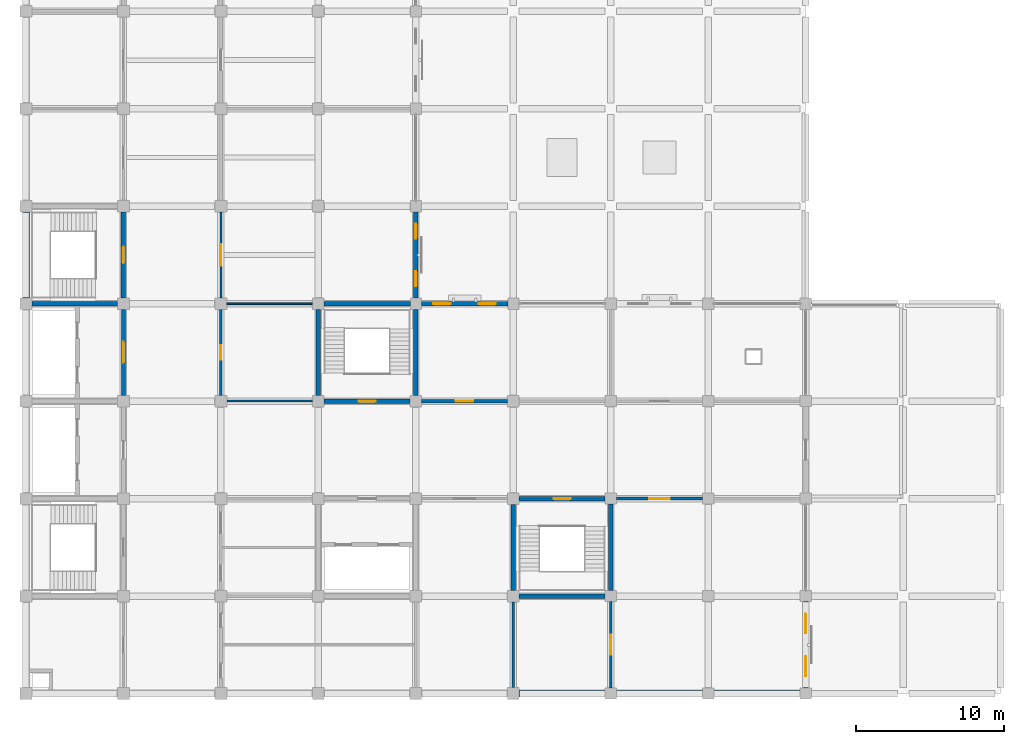
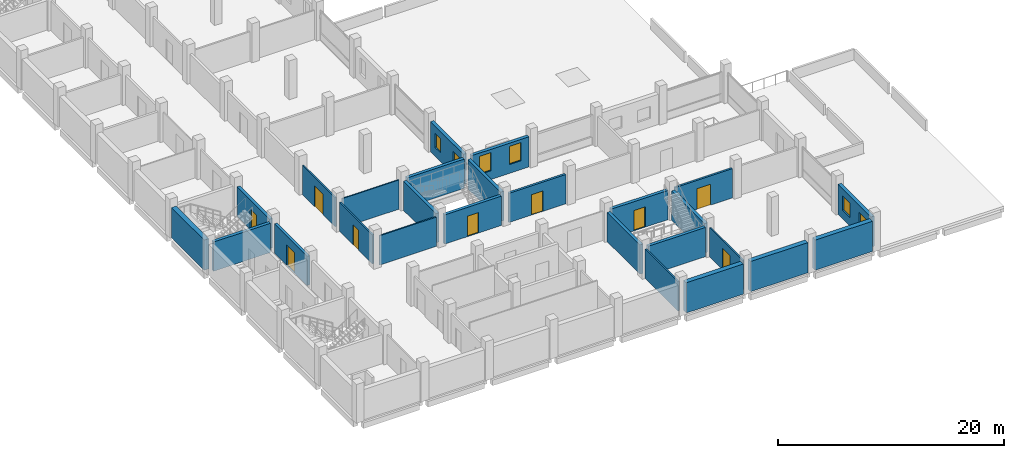
# One storey, part 15 of 23: 26 walls, 9 doors, 6 windows, 15 openings.
"""IFC4 building model written with IfcOpenShell, lengths in metres."""

from ifc_helpers import new_model, si_unit, direction, frame, frame_2d, origin, place, context, subcontext, project, spatial, rectangle, extrude, material, layer, layer_set, type_object, element, fill, save


model = new_model("IFC4")

# Units and contexts
model_context = context("Model", 3, precision=1e-05, world=origin(), true_north=direction((0.0, 1.0)))
body_context = subcontext(model_context, "Body", "Model", "MODEL_VIEW")
ifc_project = project(units=[si_unit("LENGTHUNIT", "METRE"), si_unit("AREAUNIT", "SQUARE_METRE"), si_unit("VOLUMEUNIT", "CUBIC_METRE"), si_unit("PLANEANGLEUNIT", "RADIAN"), si_unit("MASSUNIT", "GRAM", prefix="KILO")], contexts=[model_context])

# Site, building, storey
site_placement = place(None, origin())
site = spatial("IfcSite", under=ifc_project, at=site_placement, CompositionType="ELEMENT")
building_placement = place(site_placement, origin())
building = spatial("IfcBuilding", under=site, at=building_placement, Name="Rusizi Kubbe Research Institute", CompositionType="ELEMENT")
storey_placement = place(building_placement, frame((0.0, 0.0, 18.60009765625)))
storey = spatial("IfcBuildingStorey", under=building, at=storey_placement, Name="L04", CompositionType="ELEMENT", Elevation=18.60009765625)

# Wall
ifc_material_1 = material(Name="Concrete C45/55", Category="concrete")
ifc_layer_1 = layer(ifc_material_1, 0.31494140625)
ifc_layer_set_1 = layer_set([ifc_layer_1], Name="Concrete C45/55")
wall_type_1 = type_object("IfcWallType", Name="CRW-02", PredefinedType="SHEAR", material=ifc_layer_set_1)
wall_1_placement = place(storey_placement, frame((0.39990234375, 26.39990234375, 0.0), z_axis=(0.0, 0.0, 1.0), x_axis=(1.0, 0.0, 0.0)))
element("IfcWall", 1, at=wall_1_placement, inside=storey, type_object=wall_type_1, Name="Stair Core Shear Wall ST2 L04 S", PredefinedType="SHEAR", context=body_context, shape_type="SweptSolid", body=[
    extrude(rectangle(XDim=5.800048828125, YDim=0.31494140625, at=frame_2d((2.89990234375, 0.0))), origin(), (0.0, 0.0, 1.0), 3.159912109375),
])

# Wall, opening, door
wall_2_placement = place(storey_placement, frame((6.60009765625, 26.800048828125, 0.0), z_axis=(0.0, 0.0, 1.0), x_axis=(0.0, 1.0, 0.0)))
wall_2 = element("IfcWall", 2, at=wall_2_placement, inside=storey, type_object=wall_type_1, Name="Stair Core Shear Wall ST2 L04 E", PredefinedType="SHEAR", context=body_context, shape_type="SweptSolid", body=[
    extrude(rectangle(XDim=5.800048828125, YDim=0.31494140625, at=frame_2d((2.89990234375, 0.0))), origin(), (0.0, 0.0, 1.0), 3.159912109375),
])
opening_1_placement = place(wall_2_placement, frame((2.324951171875, 0.0, 0.0)))
opening_1 = element("IfcOpeningElement", 3, at=opening_1_placement, cuts=wall_2, Name="Opening D-02", PredefinedType="OPENING", context=body_context, shape_type="SweptSolid", body=[
    extrude(rectangle(XDim=1.14990234375, YDim=2.199951171875, at=frame_2d((0.574951171875, 1.10009765625))), frame((0.0, 0.16748046875, 0.0), z_axis=(0.0, -1.0, 0.0), x_axis=(1.0, 0.0, 0.0)), (0.0, 0.0, 1.0), 0.3349609375),
])
ifc_material_2 = material(Name="Fire-Rated Steel Frame and Acoustic Timber Leaf", Category="wood")
door_type_1 = type_object("IfcDoorType", Name="ID-STAIR-115", OperationType="NOTDEFINED", PredefinedType="DOOR", material=ifc_material_2)
door_1_placement = place(opening_1_placement, origin())
door_1 = element("IfcDoor", 4, at=door_1_placement, inside=storey, type_object=door_type_1, Name="Exit Stair Door ST2 L04", OperationType="SINGLE_SWING_RIGHT", OverallHeight=2.199951171875, OverallWidth=1.14990234375, PredefinedType="DOOR", context=body_context, shape_type="SweptSolid", body=[
    extrude(rectangle(XDim=1.14990234375, YDim=2.199951171875, at=frame_2d((0.574951171875, 1.10009765625))), frame((0.0, 0.02490234375, 0.0), z_axis=(0.0, -1.0, 0.0), x_axis=(1.0, 0.0, 0.0)), (0.0, 0.0, 1.0), 0.050048828125),
])
fill(opening_1, door_1)

wall_3_placement = place(storey_placement, frame((20.199951171875, 19.800048828125, 0.0), z_axis=(0.0, 0.0, 1.0), x_axis=(1.0, 0.0, 0.0)))
wall_3 = element("IfcWall", 5, at=wall_3_placement, inside=storey, type_object=wall_type_1, Name="Stair Core Shear Wall ST3 L04 S", PredefinedType="SHEAR", context=body_context, shape_type="SweptSolid", body=[
    extrude(rectangle(XDim=5.800048828125, YDim=0.31494140625, at=frame_2d((2.89990234375, 0.0))), origin(), (0.0, 0.0, 1.0), 3.159912109375),
])
opening_2_placement = place(wall_3_placement, frame((2.324951171875, 0.0, 0.0)))
opening_2 = element("IfcOpeningElement", 6, at=opening_2_placement, cuts=wall_3, Name="Opening D-02", PredefinedType="OPENING", context=body_context, shape_type="SweptSolid", body=[
    extrude(rectangle(XDim=1.14990234375, YDim=2.199951171875, at=frame_2d((0.574951171875, 1.10009765625))), frame((0.0, 0.16748046875, 0.0), z_axis=(0.0, -1.0, 0.0), x_axis=(1.0, 0.0, 0.0)), (0.0, 0.0, 1.0), 0.3349609375),
])
door_2_placement = place(opening_2_placement, origin())
door_2 = element("IfcDoor", 7, at=door_2_placement, inside=storey, type_object=door_type_1, Name="Exit Stair Door ST3 L04", OperationType="SINGLE_SWING_RIGHT", OverallHeight=2.199951171875, OverallWidth=1.14990234375, PredefinedType="DOOR", context=body_context, shape_type="SweptSolid", body=[
    extrude(rectangle(XDim=1.14990234375, YDim=2.199951171875, at=frame_2d((0.574951171875, 1.10009765625))), frame((0.0, 0.02490234375, 0.0), z_axis=(0.0, -1.0, 0.0), x_axis=(1.0, 0.0, 0.0)), (0.0, 0.0, 1.0), 0.050048828125),
])
fill(opening_2, door_2)

# Walls
wall_4_placement = place(storey_placement, frame((20.199951171875, 26.39990234375, 0.0), z_axis=(0.0, 0.0, 1.0), x_axis=(1.0, 0.0, 0.0)))
element("IfcWall", 8, at=wall_4_placement, inside=storey, type_object=wall_type_1, Name="Stair Core Shear Wall ST3 L04 N", PredefinedType="SHEAR", context=body_context, shape_type="SweptSolid", body=[
    extrude(rectangle(XDim=5.824951171875, YDim=0.31494140625, at=frame_2d((2.91259765625, 0.0))), origin(), (0.0, 0.0, 1.0), 3.159912109375),
])
wall_5_placement = place(storey_placement, frame((19.800048828125, 20.199951171875, 0.0), z_axis=(0.0, 0.0, 1.0), x_axis=(0.0, 1.0, 0.0)))
element("IfcWall", 9, at=wall_5_placement, inside=storey, type_object=wall_type_1, Name="Stair Core Shear Wall ST3 L04 W", PredefinedType="SHEAR", context=body_context, shape_type="SweptSolid", body=[
    extrude(rectangle(XDim=5.800048828125, YDim=0.31494140625, at=frame_2d((2.89990234375, 0.0))), origin(), (0.0, 0.0, 1.0), 3.159912109375),
])
wall_6_placement = place(storey_placement, frame((26.39990234375, 20.199951171875, 0.0), z_axis=(0.0, 0.0, 1.0), x_axis=(0.0, 1.0, 0.0)))
element("IfcWall", 10, at=wall_6_placement, inside=storey, type_object=wall_type_1, Name="Stair Core Shear Wall ST3 L04 E", PredefinedType="SHEAR", context=body_context, shape_type="SweptSolid", body=[
    extrude(rectangle(XDim=5.824951171875, YDim=0.31494140625, at=frame_2d((2.91259765625, 0.0))), origin(), (0.0, 0.0, 1.0), 3.159912109375),
])
wall_7_placement = place(storey_placement, frame((33.39990234375, 6.60009765625, 0.0), z_axis=(0.0, 0.0, 1.0), x_axis=(1.0, 0.0, 0.0)))
element("IfcWall", 11, at=wall_7_placement, inside=storey, type_object=wall_type_1, Name="Stair Core Shear Wall ST4 L04 S", PredefinedType="SHEAR", context=body_context, shape_type="SweptSolid", body=[
    extrude(rectangle(XDim=5.8251953125, YDim=0.31494140625, at=frame_2d((2.91259765625, 0.0))), origin(), (0.0, 0.0, 1.0), 3.159912109375),
])

# Wall, opening, door
wall_8_placement = place(storey_placement, frame((33.39990234375, 13.199951171875, 0.0), z_axis=(0.0, 0.0, 1.0), x_axis=(1.0, 0.0, 0.0)))
wall_8 = element("IfcWall", 12, at=wall_8_placement, inside=storey, type_object=wall_type_1, Name="Stair Core Shear Wall ST4 L04 N", PredefinedType="SHEAR", context=body_context, shape_type="SweptSolid", body=[
    extrude(rectangle(XDim=5.8251953125, YDim=0.31494140625, at=frame_2d((2.91259765625, 0.0))), origin(), (0.0, 0.0, 1.0), 3.159912109375),
])
opening_3_placement = place(wall_8_placement, frame((2.33740234375, 0.0, 0.0)))
opening_3 = element("IfcOpeningElement", 13, at=opening_3_placement, cuts=wall_8, Name="Opening D-02", PredefinedType="OPENING", context=body_context, shape_type="SweptSolid", body=[
    extrude(rectangle(XDim=1.14990234375, YDim=2.199951171875, at=frame_2d((0.574951171875, 1.10009765625))), frame((0.0, 0.16748046875, 0.0), z_axis=(0.0, -1.0, 0.0), x_axis=(1.0, 0.0, 0.0)), (0.0, 0.0, 1.0), 0.3349609375),
])
door_3_placement = place(opening_3_placement, origin())
door_3 = element("IfcDoor", 14, at=door_3_placement, inside=storey, type_object=door_type_1, Name="Exit Stair Door ST4 L04", OperationType="SINGLE_SWING_RIGHT", OverallHeight=2.199951171875, OverallWidth=1.14990234375, PredefinedType="DOOR", context=body_context, shape_type="SweptSolid", body=[
    extrude(rectangle(XDim=1.14990234375, YDim=2.199951171875, at=frame_2d((0.574951171875, 1.10009765625))), frame((0.0, 0.02490234375, 0.0), z_axis=(0.0, -1.0, 0.0), x_axis=(1.0, 0.0, 0.0)), (0.0, 0.0, 1.0), 0.050048828125),
])
fill(opening_3, door_3)

# Walls
wall_9_placement = place(storey_placement, frame((33.0, 7.0, 0.0), z_axis=(0.0, 0.0, 1.0), x_axis=(0.0, 1.0, 0.0)))
element("IfcWall", 15, at=wall_9_placement, inside=storey, type_object=wall_type_1, Name="Stair Core Shear Wall ST4 L04 W", PredefinedType="SHEAR", context=body_context, shape_type="SweptSolid", body=[
    extrude(rectangle(XDim=5.800048828125, YDim=0.31494140625, at=frame_2d((2.89990234375, 0.0))), origin(), (0.0, 0.0, 1.0), 3.159912109375),
])
wall_10_placement = place(storey_placement, frame((39.60009765625, 6.97509765625, 0.0), z_axis=(0.0, 0.0, 1.0), x_axis=(0.0, 1.0, 0.0)))
element("IfcWall", 16, at=wall_10_placement, inside=storey, type_object=wall_type_1, Name="Stair Core Shear Wall ST4 L04 E", PredefinedType="SHEAR", context=body_context, shape_type="SweptSolid", body=[
    extrude(rectangle(XDim=5.849853515625, YDim=0.31494140625, at=frame_2d((2.9248046875, 0.0))), origin(), (0.0, 0.0, 1.0), 3.159912109375),
])

# Wall, openings, windows
ifc_material_3 = material(Name="Volcanic Basalt Ashlar Masonry", Category="masonry")
ifc_layer_2 = layer(ifc_material_3, 0.324951171875)
ifc_layer_set_2 = layer_set([ifc_layer_2], Name="Volcanic Basalt Ashlar Masonry")
wall_type_2 = type_object("IfcWallType", Name="EW-08", PredefinedType="SOLIDWALL", material=ifc_layer_set_2)
wall_11_placement = place(storey_placement, frame((26.39990234375, 26.77490234375, 0.0), z_axis=(0.0, 0.0, 1.0), x_axis=(0.0, 1.0, 0.0)))
wall_11 = element("IfcWall", 17, at=wall_11_placement, inside=storey, type_object=wall_type_2, Name="Ablaq Stone Exterior Wall L04 V4-4", PredefinedType="SOLIDWALL", context=body_context, shape_type="SweptSolid", body=[
    extrude(rectangle(XDim=5.85009765625, YDim=0.324951171875, at=frame_2d((2.925048828125, 0.0))), origin(), (0.0, 0.0, 1.0), 3.260009765625),
])
opening_4_placement = place(wall_11_placement, frame((0.800048828125, 0.0, 0.949951171875)))
opening_4 = element("IfcOpeningElement", 18, at=opening_4_placement, cuts=wall_11, Name="Opening WN-06", PredefinedType="OPENING", context=body_context, shape_type="SweptSolid", body=[
    extrude(rectangle(XDim=1.02001953125, YDim=1.52001953125, at=frame_2d((0.510009765625, 0.760009765625))), frame((0.0, 0.17236328125, 0.0), z_axis=(0.0, -1.0, 0.0), x_axis=(1.0, 0.0, 0.0)), (0.0, 0.0, 1.0), 0.344970703125),
])
opening_5_placement = place(wall_11_placement, frame((4.030029296875, 0.0, 0.949951171875)))
opening_5 = element("IfcOpeningElement", 19, at=opening_5_placement, cuts=wall_11, Name="Opening WN-06", PredefinedType="OPENING", context=body_context, shape_type="SweptSolid", body=[
    extrude(rectangle(XDim=1.02001953125, YDim=1.52001953125, at=frame_2d((0.510009765625, 0.760009765625))), frame((0.0, 0.17236328125, 0.0), z_axis=(0.0, -1.0, 0.0), x_axis=(1.0, 0.0, 0.0)), (0.0, 0.0, 1.0), 0.344970703125),
])
ifc_material_4 = material(Name="Aluminium Frame and Solar-Control Double Glazing", Category="glass")
window_type_1 = type_object("IfcWindowType", Name="WN-06", PartitioningType="SINGLE_PANEL", PredefinedType="WINDOW", material=ifc_material_4)
window_1_placement = place(opening_4_placement, origin())
window_1 = element("IfcWindow", 20, at=window_1_placement, inside=storey, type_object=window_type_1, Name="Casement Window WN-06 L04", OverallHeight=1.52001953125, OverallWidth=1.02001953125, PartitioningType="SINGLE_PANEL", PredefinedType="WINDOW", context=body_context, shape_type="SweptSolid", body=[
    extrude(rectangle(XDim=1.02001953125, YDim=1.52001953125, at=frame_2d((0.510009765625, 0.760009765625))), frame((0.0, 0.030029296875, 0.0), z_axis=(0.0, -1.0, 0.0), x_axis=(1.0, 0.0, 0.0)), (0.0, 0.0, 1.0), 0.06005859375),
])
fill(opening_4, window_1)
window_2_placement = place(opening_5_placement, origin())
window_2 = element("IfcWindow", 21, at=window_2_placement, inside=storey, type_object=window_type_1, Name="Casement Window WN-06 L04", OverallHeight=1.52001953125, OverallWidth=1.02001953125, PartitioningType="SINGLE_PANEL", PredefinedType="WINDOW", context=body_context, shape_type="SweptSolid", body=[
    extrude(rectangle(XDim=1.02001953125, YDim=1.52001953125, at=frame_2d((0.510009765625, 0.760009765625))), frame((0.0, 0.030029296875, 0.0), z_axis=(0.0, -1.0, 0.0), x_axis=(1.0, 0.0, 0.0)), (0.0, 0.0, 1.0), 0.06005859375),
])
fill(opening_5, window_2)

wall_12_placement = place(storey_placement, frame((26.77490234375, 26.39990234375, 0.0), z_axis=(0.0, 0.0, 1.0), x_axis=(1.0, 0.0, 0.0)))
wall_12 = element("IfcWall", 22, at=wall_12_placement, inside=storey, type_object=wall_type_2, Name="Ablaq Stone Exterior Wall L04 H4-4", PredefinedType="SOLIDWALL", context=body_context, shape_type="SweptSolid", body=[
    extrude(rectangle(XDim=5.85009765625, YDim=0.324951171875, at=frame_2d((2.925048828125, 0.0))), origin(), (0.0, 0.0, 1.0), 3.260009765625),
])
opening_6_placement = place(wall_12_placement, frame((0.800048828125, 0.0, 0.949951171875)))
opening_6 = element("IfcOpeningElement", 23, at=opening_6_placement, cuts=wall_12, Name="Opening WN-12", PredefinedType="OPENING", context=body_context, shape_type="SweptSolid", body=[
    extrude(rectangle(XDim=1.179931640625, YDim=1.9599609375, at=frame_2d((0.58984375, 0.97998046875))), frame((0.0, 0.17236328125, 0.0), z_axis=(0.0, -1.0, 0.0), x_axis=(1.0, 0.0, 0.0)), (0.0, 0.0, 1.0), 0.344970703125),
])
opening_7_placement = place(wall_12_placement, frame((3.8701171875, 0.0, 0.949951171875)))
opening_7 = element("IfcOpeningElement", 24, at=opening_7_placement, cuts=wall_12, Name="Opening WN-12", PredefinedType="OPENING", context=body_context, shape_type="SweptSolid", body=[
    extrude(rectangle(XDim=1.179931640625, YDim=1.9599609375, at=frame_2d((0.58984375, 0.97998046875))), frame((0.0, 0.17236328125, 0.0), z_axis=(0.0, -1.0, 0.0), x_axis=(1.0, 0.0, 0.0)), (0.0, 0.0, 1.0), 0.344970703125),
])
ifc_material_5 = material(Name="Aluminium Frame and Solar-Control Double Glazing", Category="glass")
window_type_2 = type_object("IfcWindowType", Name="WN-12", PartitioningType="SINGLE_PANEL", PredefinedType="WINDOW", material=ifc_material_5)
window_3_placement = place(opening_6_placement, origin())
window_3 = element("IfcWindow", 25, at=window_3_placement, inside=storey, type_object=window_type_2, Name="Casement Window WN-12 L04", OverallHeight=1.9599609375, OverallWidth=1.179931640625, PartitioningType="SINGLE_PANEL", PredefinedType="WINDOW", context=body_context, shape_type="SweptSolid", body=[
    extrude(rectangle(XDim=1.179931640625, YDim=1.9599609375, at=frame_2d((0.58984375, 0.97998046875))), frame((0.0, 0.030029296875, 0.0), z_axis=(0.0, -1.0, 0.0), x_axis=(1.0, 0.0, 0.0)), (0.0, 0.0, 1.0), 0.06005859375),
])
fill(opening_6, window_3)
window_4_placement = place(opening_7_placement, origin())
window_4 = element("IfcWindow", 26, at=window_4_placement, inside=storey, type_object=window_type_2, Name="Casement Window WN-12 L04", OverallHeight=1.9599609375, OverallWidth=1.179931640625, PartitioningType="SINGLE_PANEL", PredefinedType="WINDOW", context=body_context, shape_type="SweptSolid", body=[
    extrude(rectangle(XDim=1.179931640625, YDim=1.9599609375, at=frame_2d((0.58984375, 0.97998046875))), frame((0.0, 0.030029296875, 0.0), z_axis=(0.0, -1.0, 0.0), x_axis=(1.0, 0.0, 0.0)), (0.0, 0.0, 1.0), 0.06005859375),
])
fill(opening_7, window_4)

wall_13_placement = place(storey_placement, frame((52.800048828125, 0.375, 0.0), z_axis=(0.0, 0.0, 1.0), x_axis=(0.0, 1.0, 0.0)))
wall_13 = element("IfcWall", 27, at=wall_13_placement, inside=storey, type_object=wall_type_2, Name="Ablaq Stone Exterior Wall L04 V8-0", PredefinedType="SOLIDWALL", context=body_context, shape_type="SweptSolid", body=[
    extrude(rectangle(XDim=5.85009765625, YDim=0.324951171875, at=frame_2d((2.925048828125, 0.0))), origin(), (0.0, 0.0, 1.0), 3.260009765625),
])
opening_8_placement = place(wall_13_placement, frame((0.800048828125, 0.0, 0.949951171875)))
opening_8 = element("IfcOpeningElement", 28, at=opening_8_placement, cuts=wall_13, Name="Opening WN-14", PredefinedType="OPENING", context=body_context, shape_type="SweptSolid", body=[
    extrude(rectangle(XDim=1.340087890625, YDim=1.52001953125, at=frame_2d((0.669921875, 0.760009765625))), frame((0.0, 0.17236328125, 0.0), z_axis=(0.0, -1.0, 0.0), x_axis=(1.0, 0.0, 0.0)), (0.0, 0.0, 1.0), 0.344970703125),
])
opening_9_placement = place(wall_13_placement, frame((3.7099609375, 0.0, 0.949951171875)))
opening_9 = element("IfcOpeningElement", 29, at=opening_9_placement, cuts=wall_13, Name="Opening WN-14", PredefinedType="OPENING", context=body_context, shape_type="SweptSolid", body=[
    extrude(rectangle(XDim=1.340087890625, YDim=1.52001953125, at=frame_2d((0.669921875, 0.760009765625))), frame((0.0, 0.17236328125, 0.0), z_axis=(0.0, -1.0, 0.0), x_axis=(1.0, 0.0, 0.0)), (0.0, 0.0, 1.0), 0.344970703125),
])
ifc_material_6 = material(Name="Aluminium Frame and Solar-Control Double Glazing", Category="glass")
window_type_3 = type_object("IfcWindowType", Name="WN-14", PartitioningType="SINGLE_PANEL", PredefinedType="WINDOW", material=ifc_material_6)
window_5_placement = place(opening_8_placement, origin())
window_5 = element("IfcWindow", 30, at=window_5_placement, inside=storey, type_object=window_type_3, Name="Casement Window WN-14 L04", OverallHeight=1.52001953125, OverallWidth=1.340087890625, PartitioningType="SINGLE_PANEL", PredefinedType="WINDOW", context=body_context, shape_type="SweptSolid", body=[
    extrude(rectangle(XDim=1.340087890625, YDim=1.52001953125, at=frame_2d((0.669921875, 0.760009765625))), frame((0.0, 0.030029296875, 0.0), z_axis=(0.0, -1.0, 0.0), x_axis=(1.0, 0.0, 0.0)), (0.0, 0.0, 1.0), 0.06005859375),
])
fill(opening_8, window_5)
window_6_placement = place(opening_9_placement, origin())
window_6 = element("IfcWindow", 31, at=window_6_placement, inside=storey, type_object=window_type_3, Name="Casement Window WN-14 L04", OverallHeight=1.52001953125, OverallWidth=1.340087890625, PartitioningType="SINGLE_PANEL", PredefinedType="WINDOW", context=body_context, shape_type="SweptSolid", body=[
    extrude(rectangle(XDim=1.340087890625, YDim=1.52001953125, at=frame_2d((0.669921875, 0.760009765625))), frame((0.0, 0.030029296875, 0.0), z_axis=(0.0, -1.0, 0.0), x_axis=(1.0, 0.0, 0.0)), (0.0, 0.0, 1.0), 0.06005859375),
])
fill(opening_9, window_6)

# Wall, opening, door
ifc_material_7 = material(Name="Concrete Blockwork Fire Partition", Category="masonry")
ifc_layer_3 = layer(ifc_material_7, 0.22509765625)
ifc_layer_set_3 = layer_set([ifc_layer_3], Name="Concrete Blockwork Fire Partition")
wall_type_3 = type_object("IfcWallType", Name="IW-01", PredefinedType="PARTITIONING", material=ifc_layer_set_3)
wall_14_placement = place(storey_placement, frame((26.800048828125, 19.800048828125, 0.0), z_axis=(0.0, 0.0, 1.0), x_axis=(1.0, 0.0, 0.0)))
wall_14 = element("IfcWall", 32, at=wall_14_placement, inside=storey, type_object=wall_type_3, Name="Interior Partition Wall L04 H4-3", PredefinedType="PARTITIONING", context=body_context, shape_type="SweptSolid", body=[
    extrude(rectangle(XDim=5.800048828125, YDim=0.22509765625, at=frame_2d((2.89990234375, 0.0))), origin(), (0.0, 0.0, 1.0), 3.159912109375),
])
opening_10_placement = place(wall_14_placement, frame((2.31005859375, 0.0, 0.0)))
opening_10 = element("IfcOpeningElement", 33, at=opening_10_placement, cuts=wall_14, Name="Opening D-19", PredefinedType="OPENING", context=body_context, shape_type="SweptSolid", body=[
    extrude(rectangle(XDim=1.179931640625, YDim=2.199951171875, at=frame_2d((0.58984375, 1.10009765625))), frame((0.0, 0.12255859375, 0.0), z_axis=(0.0, -1.0, 0.0), x_axis=(1.0, 0.0, 0.0)), (0.0, 0.0, 1.0), 0.2451171875),
])
ifc_material_8 = material(Name="Fire-Rated Steel Frame and Acoustic Timber Leaf", Category="wood")
door_type_2 = type_object("IfcDoorType", Name="ID-OFF-118", OperationType="NOTDEFINED", PredefinedType="DOOR", material=ifc_material_8)
door_4_placement = place(opening_10_placement, origin())
door_4 = element("IfcDoor", 34, at=door_4_placement, inside=storey, type_object=door_type_2, Name="Door to Write-up Office (L04-EWN-01)", OperationType="SINGLE_SWING_RIGHT", OverallHeight=2.199951171875, OverallWidth=1.179931640625, PredefinedType="DOOR", context=body_context, shape_type="SweptSolid", body=[
    extrude(rectangle(XDim=1.179931640625, YDim=2.199951171875, at=frame_2d((0.58984375, 1.10009765625))), frame((0.0, 0.02490234375, 0.0), z_axis=(0.0, -1.0, 0.0), x_axis=(1.0, 0.0, 0.0)), (0.0, 0.0, 1.0), 0.050048828125),
])
fill(opening_10, door_4)

ifc_material_9 = material(Name="Insulated Cleanroom Partition", Category="masonry")
ifc_layer_4 = layer(ifc_material_9, 0.195068359375)
ifc_layer_set_4 = layer_set([ifc_layer_4], Name="Insulated Cleanroom Partition")
wall_type_4 = type_object("IfcWallType", Name="IW-02", PredefinedType="PARTITIONING", material=ifc_layer_set_4)
wall_15_placement = place(storey_placement, frame((39.97509765625, 13.199951171875, 0.0), z_axis=(0.0, 0.0, 1.0), x_axis=(1.0, 0.0, 0.0)))
wall_15 = element("IfcWall", 35, at=wall_15_placement, inside=storey, type_object=wall_type_4, Name="Interior Partition Wall L04 H6-2", PredefinedType="PARTITIONING", context=body_context, shape_type="SweptSolid", body=[
    extrude(rectangle(XDim=5.849853515625, YDim=0.195068359375, at=frame_2d((2.9248046875, 0.0))), origin(), (0.0, 0.0, 1.0), 3.159912109375),
])
opening_11_placement = place(wall_15_placement, frame((2.22509765625, 0.0, 0.0)))
opening_11 = element("IfcOpeningElement", 36, at=opening_11_placement, cuts=wall_15, Name="Opening D-12", PredefinedType="OPENING", context=body_context, shape_type="SweptSolid", body=[
    extrude(rectangle(XDim=1.39990234375, YDim=2.25, at=frame_2d((0.699951171875, 1.125))), frame((0.0, 0.107421875, 0.0), z_axis=(0.0, -1.0, 0.0), x_axis=(1.0, 0.0, 0.0)), (0.0, 0.0, 1.0), 0.215087890625),
])
ifc_material_10 = material(Name="Fire-Rated Steel Frame and Acoustic Timber Leaf", Category="wood")
door_type_3 = type_object("IfcDoorType", Name="ID-LAB-140", OperationType="NOTDEFINED", PredefinedType="DOOR", material=ifc_material_10)
door_5_placement = place(opening_11_placement, origin())
door_5 = element("IfcDoor", 37, at=door_5_placement, inside=storey, type_object=door_type_3, Name="Door to Clean Room Process Suite (L04-EWS-02)", OperationType="SINGLE_SWING_RIGHT", OverallHeight=2.25, OverallWidth=1.39990234375, PredefinedType="DOOR", context=body_context, shape_type="SweptSolid", body=[
    extrude(rectangle(XDim=1.39990234375, YDim=2.25, at=frame_2d((0.699951171875, 1.125))), frame((0.0, 0.02490234375, 0.0), z_axis=(0.0, -1.0, 0.0), x_axis=(1.0, 0.0, 0.0)), (0.0, 0.0, 1.0), 0.050048828125),
])
fill(opening_11, door_5)

ifc_material_11 = material(Name="Fire-Rated Corridor Partition", Category="masonry")
ifc_layer_5 = layer(ifc_material_11, 0.155029296875)
ifc_layer_set_5 = layer_set([ifc_layer_5], Name="Fire-Rated Corridor Partition")
wall_type_5 = type_object("IfcWallType", Name="IW-04", PredefinedType="PARTITIONING", material=ifc_layer_set_5)
wall_16_placement = place(storey_placement, frame((13.199951171875, 20.199951171875, 0.0), z_axis=(0.0, 0.0, 1.0), x_axis=(0.0, 1.0, 0.0)))
wall_16 = element("IfcWall", 38, at=wall_16_placement, inside=storey, type_object=wall_type_5, Name="Interior Partition Wall L04 V2-3", PredefinedType="PARTITIONING", context=body_context, shape_type="SweptSolid", body=[
    extrude(rectangle(XDim=5.800048828125, YDim=0.155029296875, at=frame_2d((2.89990234375, 0.0))), origin(), (0.0, 0.0, 1.0), 3.159912109375),
])
opening_12_placement = place(wall_16_placement, frame((2.409912109375, 0.0, 0.0)))
opening_12 = element("IfcOpeningElement", 39, at=opening_12_placement, cuts=wall_16, Name="Opening D-20", PredefinedType="OPENING", context=body_context, shape_type="SweptSolid", body=[
    extrude(rectangle(XDim=0.97998046875, YDim=2.14990234375, at=frame_2d((0.489990234375, 1.074951171875))), frame((0.0, 0.08740234375, 0.0), z_axis=(0.0, -1.0, 0.0), x_axis=(1.0, 0.0, 0.0)), (0.0, 0.0, 1.0), 0.175048828125),
])
ifc_material_12 = material(Name="Fire-Rated Steel Frame and Acoustic Timber Leaf", Category="wood")
door_type_4 = type_object("IfcDoorType", Name="ID-OFF-980", OperationType="NOTDEFINED", PredefinedType="DOOR", material=ifc_material_12)
door_6_placement = place(opening_12_placement, origin())
door_6 = element("IfcDoor", 40, at=door_6_placement, inside=storey, type_object=door_type_4, Name="Door to Write-up Office (L04-NW-01)", OperationType="SINGLE_SWING_LEFT", OverallHeight=2.14990234375, OverallWidth=0.97998046875, PredefinedType="DOOR", context=body_context, shape_type="SweptSolid", body=[
    extrude(rectangle(XDim=0.97998046875, YDim=2.14990234375, at=frame_2d((0.489990234375, 1.074951171875))), frame((0.0, 0.02490234375, 0.0), z_axis=(0.0, -1.0, 0.0), x_axis=(1.0, 0.0, 0.0)), (0.0, 0.0, 1.0), 0.050048828125),
])
fill(opening_12, door_6)

# Wall
wall_17_placement = place(storey_placement, frame((33.0, 0.39990234375, 0.0), z_axis=(0.0, 0.0, 1.0), x_axis=(0.0, 1.0, 0.0)))
element("IfcWall", 41, at=wall_17_placement, inside=storey, type_object=wall_type_5, Name="Interior Partition Wall L04 V5-0", PredefinedType="PARTITIONING", context=body_context, shape_type="SweptSolid", body=[
    extrude(rectangle(XDim=5.800048828125, YDim=0.155029296875, at=frame_2d((2.89990234375, 0.0))), origin(), (0.0, 0.0, 1.0), 3.159912109375),
])

# Wall, opening, door
ifc_material_13 = material(Name="Write-up Glazed Acoustic Partition", Category="masonry")
ifc_layer_6 = layer(ifc_material_13, 0.139892578125)
ifc_layer_set_6 = layer_set([ifc_layer_6], Name="Write-up Glazed Acoustic Partition")
wall_type_6 = type_object("IfcWallType", Name="IW-05", PredefinedType="PARTITIONING", material=ifc_layer_set_6)
wall_18_placement = place(storey_placement, frame((13.199951171875, 26.800048828125, 0.0), z_axis=(0.0, 0.0, 1.0), x_axis=(0.0, 1.0, 0.0)))
wall_18 = element("IfcWall", 42, at=wall_18_placement, inside=storey, type_object=wall_type_6, Name="Interior Partition Wall L04 V2-4", PredefinedType="PARTITIONING", context=body_context, shape_type="SweptSolid", body=[
    extrude(rectangle(XDim=5.800048828125, YDim=0.139892578125, at=frame_2d((2.89990234375, 0.0))), origin(), (0.0, 0.0, 1.0), 3.159912109375),
])
opening_13_placement = place(wall_18_placement, frame((2.175048828125, 0.0, 0.0)))
opening_13 = element("IfcOpeningElement", 43, at=opening_13_placement, cuts=wall_18, Name="Opening D-11", PredefinedType="OPENING", context=body_context, shape_type="SweptSolid", body=[
    extrude(rectangle(XDim=1.449951171875, YDim=2.25, at=frame_2d((0.72509765625, 1.125))), frame((0.0, 0.079833984375, 0.0), z_axis=(0.0, -1.0, 0.0), x_axis=(1.0, 0.0, 0.0)), (0.0, 0.0, 1.0), 0.159912109375),
])
ifc_material_14 = material(Name="Fire-Rated Steel Frame and Acoustic Timber Leaf", Category="wood")
door_type_5 = type_object("IfcDoorType", Name="ID-LAB-145", OperationType="NOTDEFINED", PredefinedType="DOOR", material=ifc_material_14)
door_7_placement = place(opening_13_placement, origin())
door_7 = element("IfcDoor", 44, at=door_7_placement, inside=storey, type_object=door_type_5, Name="Door to Bioscience Wet Laboratory (L04-NW-02)", OperationType="SINGLE_SWING_LEFT", OverallHeight=2.25, OverallWidth=1.449951171875, PredefinedType="DOOR", context=body_context, shape_type="SweptSolid", body=[
    extrude(rectangle(XDim=1.449951171875, YDim=2.25, at=frame_2d((0.72509765625, 1.125))), frame((0.0, 0.02490234375, 0.0), z_axis=(0.0, -1.0, 0.0), x_axis=(1.0, 0.0, 0.0)), (0.0, 0.0, 1.0), 0.050048828125),
])
fill(opening_13, door_7)

# Wall
wall_19_placement = place(storey_placement, frame((13.60009765625, 19.800048828125, 0.0), z_axis=(0.0, 0.0, 1.0), x_axis=(1.0, 0.0, 0.0)))
element("IfcWall", 45, at=wall_19_placement, inside=storey, type_object=wall_type_6, Name="Interior Partition Wall L04 H2-3", PredefinedType="PARTITIONING", context=body_context, shape_type="SweptSolid", body=[
    extrude(rectangle(XDim=5.7998046875, YDim=0.139892578125, at=frame_2d((2.89990234375, 0.0))), origin(), (0.0, 0.0, 1.0), 3.159912109375),
])

# Wall, opening, door
wall_20_placement = place(storey_placement, frame((39.60009765625, 0.375, 0.0), z_axis=(0.0, 0.0, 1.0), x_axis=(0.0, 1.0, 0.0)))
wall_20 = element("IfcWall", 46, at=wall_20_placement, inside=storey, type_object=wall_type_6, Name="Interior Partition Wall L04 V6-0", PredefinedType="PARTITIONING", context=body_context, shape_type="SweptSolid", body=[
    extrude(rectangle(XDim=5.85009765625, YDim=0.139892578125, at=frame_2d((2.925048828125, 0.0))), origin(), (0.0, 0.0, 1.0), 3.159912109375),
])
opening_14_placement = place(wall_20_placement, frame((2.25, 0.0, 0.0)))
opening_14 = element("IfcOpeningElement", 47, at=opening_14_placement, cuts=wall_20, Name="Opening D-13", PredefinedType="OPENING", context=body_context, shape_type="SweptSolid", body=[
    extrude(rectangle(XDim=1.35009765625, YDim=2.300048828125, at=frame_2d((0.675048828125, 1.14990234375))), frame((0.0, 0.079833984375, 0.0), z_axis=(0.0, -1.0, 0.0), x_axis=(1.0, 0.0, 0.0)), (0.0, 0.0, 1.0), 0.159912109375),
])
ifc_material_15 = material(Name="Fire-Rated Steel Frame and Acoustic Timber Leaf", Category="wood")
door_type_6 = type_object("IfcDoorType", Name="ID-LAB-135", OperationType="NOTDEFINED", PredefinedType="DOOR", material=ifc_material_15)
door_8_placement = place(opening_14_placement, origin())
door_8 = element("IfcDoor", 48, at=door_8_placement, inside=storey, type_object=door_type_6, Name="Door to Laboratory Instrument Support Room (L04-EWU-05)", OperationType="SINGLE_SWING_LEFT", OverallHeight=2.300048828125, OverallWidth=1.35009765625, PredefinedType="DOOR", context=body_context, shape_type="SweptSolid", body=[
    extrude(rectangle(XDim=1.35009765625, YDim=2.300048828125, at=frame_2d((0.675048828125, 1.14990234375))), frame((0.0, 0.02490234375, 0.0), z_axis=(0.0, -1.0, 0.0), x_axis=(1.0, 0.0, 0.0)), (0.0, 0.0, 1.0), 0.050048828125),
])
fill(opening_14, door_8)

# Walls
ifc_material_16 = material(Name="Sub-Suite Fire Partition", Category="masonry")
ifc_layer_7 = layer(ifc_material_16, 0.110107421875)
ifc_layer_set_7 = layer_set([ifc_layer_7], Name="Sub-Suite Fire Partition")
wall_type_7 = type_object("IfcWallType", Name="IW-07", PredefinedType="PARTITIONING", material=ifc_layer_set_7)
wall_21_placement = place(storey_placement, frame((13.60009765625, 26.39990234375, 0.0), z_axis=(0.0, 0.0, 1.0), x_axis=(1.0, 0.0, 0.0)))
element("IfcWall", 49, at=wall_21_placement, inside=storey, type_object=wall_type_7, Name="Interior Partition Wall L04 H2-4", PredefinedType="PARTITIONING", context=body_context, shape_type="SweptSolid", body=[
    extrude(rectangle(XDim=5.7998046875, YDim=0.110107421875, at=frame_2d((2.89990234375, 0.0))), origin(), (0.0, 0.0, 1.0), 3.159912109375),
])
ifc_material_17 = material(Name="Concrete C40/50", Category="concrete")
ifc_layer_8 = layer(ifc_material_17, 0.47998046875)
ifc_layer_set_8 = layer_set([ifc_layer_8], Name="Concrete C40/50")
wall_type_8 = type_object("IfcWallType", Name="PW-01", PredefinedType="SOLIDWALL", material=ifc_layer_set_8)
wall_22_placement = place(storey_placement, frame((0.0, 26.800048828125, 0.0), z_axis=(0.0, 0.0, 1.0), x_axis=(0.0, 1.0, 0.0)))
element("IfcWall", 50, at=wall_22_placement, inside=storey, type_object=wall_type_8, Name="Blind Party Wall L04 V0-4", PredefinedType="SOLIDWALL", context=body_context, shape_type="SweptSolid", body=[
    extrude(rectangle(XDim=5.800048828125, YDim=0.47998046875, at=frame_2d((2.89990234375, 0.0))), origin(), (0.0, 0.0, 1.0), 3.260009765625),
])
wall_23_placement = place(storey_placement, frame((33.39990234375, 0.0, 0.0), z_axis=(0.0, 0.0, 1.0), x_axis=(1.0, 0.0, 0.0)))
element("IfcWall", 51, at=wall_23_placement, inside=storey, type_object=wall_type_8, Name="Blind Party Wall L04 H5-0", PredefinedType="SOLIDWALL", context=body_context, shape_type="SweptSolid", body=[
    extrude(rectangle(XDim=5.8251953125, YDim=0.47998046875, at=frame_2d((2.91259765625, 0.0))), origin(), (0.0, 0.0, 1.0), 3.260009765625),
])
wall_24_placement = place(storey_placement, frame((39.97509765625, 0.0, 0.0), z_axis=(0.0, 0.0, 1.0), x_axis=(1.0, 0.0, 0.0)))
element("IfcWall", 52, at=wall_24_placement, inside=storey, type_object=wall_type_8, Name="Blind Party Wall L04 H6-0", PredefinedType="SOLIDWALL", context=body_context, shape_type="SweptSolid", body=[
    extrude(rectangle(XDim=5.849853515625, YDim=0.47998046875, at=frame_2d((2.9248046875, 0.0))), origin(), (0.0, 0.0, 1.0), 3.260009765625),
])
wall_25_placement = place(storey_placement, frame((46.574951171875, 0.0, 0.0), z_axis=(0.0, 0.0, 1.0), x_axis=(1.0, 0.0, 0.0)))
element("IfcWall", 53, at=wall_25_placement, inside=storey, type_object=wall_type_8, Name="Blind Party Wall L04 H7-0", PredefinedType="SOLIDWALL", context=body_context, shape_type="SweptSolid", body=[
    extrude(rectangle(XDim=5.85009765625, YDim=0.47998046875, at=frame_2d((2.925048828125, 0.0))), origin(), (0.0, 0.0, 1.0), 3.260009765625),
])

# Wall, opening, door
ifc_material_18 = material(Name="Concrete C40/50", Category="concrete")
ifc_layer_9 = layer(ifc_material_18, 0.27490234375)
ifc_layer_set_9 = layer_set([ifc_layer_9], Name="Concrete C40/50")
wall_type_9 = type_object("IfcWallType", Name="SHW-01", PredefinedType="SHEAR", material=ifc_layer_set_9)
wall_26_placement = place(storey_placement, frame((6.60009765625, 20.199951171875, 0.0), z_axis=(0.0, 0.0, 1.0), x_axis=(0.0, 1.0, 0.0)))
wall_26 = element("IfcWall", 54, at=wall_26_placement, inside=storey, type_object=wall_type_9, Name="Passenger Lift Lobby Wall L04", PredefinedType="SHEAR", context=body_context, shape_type="SweptSolid", body=[
    extrude(rectangle(XDim=5.800048828125, YDim=0.27490234375, at=frame_2d((2.89990234375, 0.0))), origin(), (0.0, 0.0, 1.0), 3.159912109375),
])
opening_15_placement = place(wall_26_placement, frame((2.18994140625, 0.0, 0.0)))
opening_15 = element("IfcOpeningElement", 55, at=opening_15_placement, cuts=wall_26, Name="Opening D-22", PredefinedType="OPENING", context=body_context, shape_type="SweptSolid", body=[
    extrude(rectangle(XDim=1.419921875, YDim=2.199951171875, at=frame_2d((0.7099609375, 1.10009765625))), frame((0.0, 0.1474609375, 0.0), z_axis=(0.0, -1.0, 0.0), x_axis=(1.0, 0.0, 0.0)), (0.0, 0.0, 1.0), 0.294921875),
])
ifc_material_19 = material(Name="Fire-Rated Steel Frame and Acoustic Timber Leaf", Category="wood")
door_type_7 = type_object("IfcDoorType", Name="ID-STR-142", OperationType="DOUBLE_DOOR_SINGLE_SWING", PredefinedType="DOOR", material=ifc_material_19)
door_9_placement = place(opening_15_placement, origin())
door_9 = element("IfcDoor", 56, at=door_9_placement, inside=storey, type_object=door_type_7, Name="Door to Passenger Lift Lobby (L04-LBY-01)", OperationType="DOUBLE_DOOR_SINGLE_SWING", OverallHeight=2.199951171875, OverallWidth=1.419921875, PredefinedType="DOOR", context=body_context, shape_type="SweptSolid", body=[
    extrude(rectangle(XDim=1.419921875, YDim=2.199951171875, at=frame_2d((0.7099609375, 1.10009765625))), frame((0.0, 0.02490234375, 0.0), z_axis=(0.0, -1.0, 0.0), x_axis=(1.0, 0.0, 0.0)), (0.0, 0.0, 1.0), 0.050048828125),
])
fill(opening_15, door_9)

save(model, "model.ifc")
